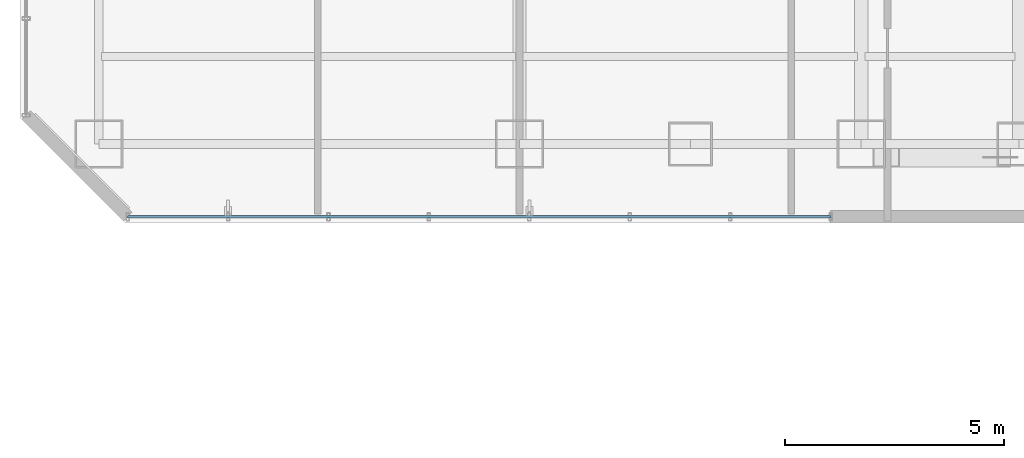
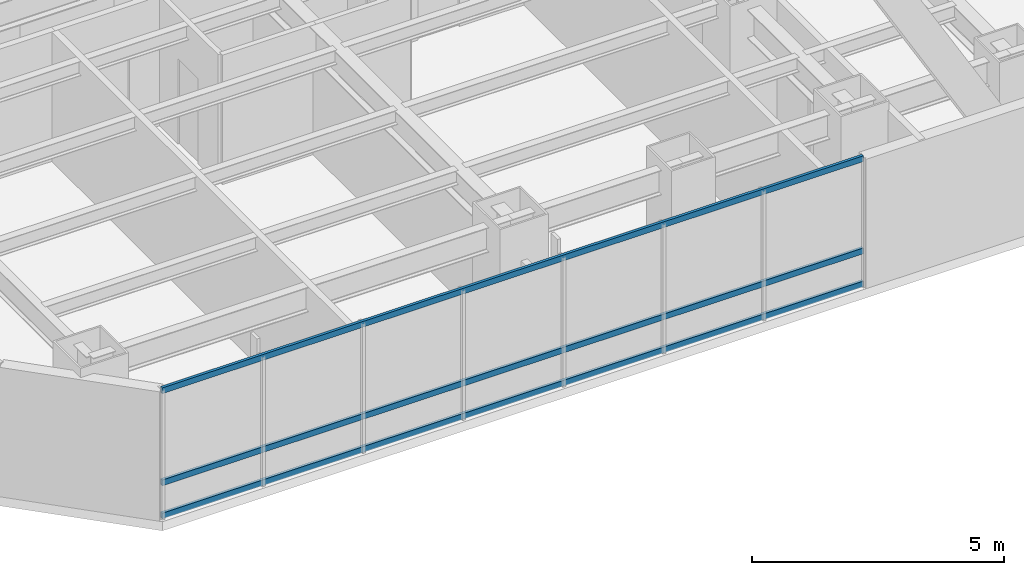
# One storey, part 3 of 32: 3 members, 1 element without a shape of its own.
"""IFC4 building model written with IfcOpenShell, lengths in metres."""

from ifc_helpers import new_model, si_unit, direction, frame, origin, origin_2d, place, context, subcontext, project, spatial, hollow_rectangle, extrude, material, layer, layer_set, material_profile, profile_set, type_object, element, aggregate, save


model = new_model("IFC4")

# Units and contexts
model_context = context("Model", 3, precision=1e-05, world=origin(), true_north=direction((0.0, 1.0)))
body_context = subcontext(model_context, "Body", "Model", "MODEL_VIEW")
ifc_project = project(units=[si_unit("LENGTHUNIT", "METRE"), si_unit("AREAUNIT", "SQUARE_METRE"), si_unit("VOLUMEUNIT", "CUBIC_METRE"), si_unit("PLANEANGLEUNIT", "RADIAN"), si_unit("MASSUNIT", "GRAM", prefix="KILO")], contexts=[model_context])

# Site, building, storey
site_placement = place(None, origin())
site = spatial("IfcSite", under=ifc_project, at=site_placement, CompositionType="ELEMENT")
building_placement = place(site_placement, origin())
building = spatial("IfcBuilding", under=site, at=building_placement, Name="Hatsunagi Terrace Concourse", CompositionType="ELEMENT")
storey_placement = place(building_placement, frame((0.0, 0.0, 46.64990234375)))
storey = spatial("IfcBuildingStorey", under=building, at=storey_placement, Name="L11", CompositionType="ELEMENT", Elevation=46.64990234375)

# Curtain wall, members
ifc_material_1 = material(Name="Anodised Aluminium Alloy 6063-T5", Category="aluminium")
ifc_layer = layer(ifc_material_1, 0.199951171875)
ifc_layer_set = layer_set([ifc_layer], Name="HotelFacade_CW02")
curtain_wall_type = type_object("IfcCurtainWallType", Name="HotelFacade_CW02", PredefinedType="NOTDEFINED", material=ifc_layer_set)
curtain_wall_placement = place(storey_placement, origin())
curtain_wall = element("IfcCurtainWall", 1, at=curtain_wall_placement, inside=storey, type_object=curtain_wall_type, Name="Unitised Curtain Wall CW-02 CW-L11-07", PredefinedType="NOTDEFINED")
ifc_material_2 = material(Name="Anodised Aluminium Alloy 6063-T5", Category="aluminium")
ifc_material_profile = material_profile(ifc_material_2, hollow_rectangle(XDim=0.06494140625, YDim=0.139892578125, WallThickness=0.00390625, at=origin_2d()), Name="ALU-TRN-140x65x4")
ifc_profile_set = profile_set([ifc_material_profile], Name="Anodised Aluminium Alloy 6063-T5")
member_type = type_object("IfcMemberType", Name="CurtainWallTransom_140x65", PredefinedType="USERDEFINED", material=ifc_profile_set)
member_1_placement = place(storey_placement, frame((18.5, 23.5400390625, 0.050048828125), z_axis=(-1.0, 0.0, 0.0), x_axis=(0.0, -1.0, 0.0)))
member_1 = element("IfcMember", 2, at=member_1_placement, type_object=member_type, Name="Curtain Wall Transom TRN-02", ObjectType="TRANSOM", PredefinedType="USERDEFINED", context=body_context, shape_type="SweptSolid", body=[
    extrude(hollow_rectangle(XDim=0.06494140625, YDim=0.139892578125, WallThickness=0.00390625, at=origin_2d()), origin(), (0.0, 0.0, 1.0), 16.0419921875),
])
member_2_placement = place(storey_placement, frame((18.5, 23.5400390625, 0.85009765625), z_axis=(-1.0, 0.0, 0.0), x_axis=(0.0, -1.0, 0.0)))
member_2 = element("IfcMember", 3, at=member_2_placement, type_object=member_type, Name="Curtain Wall Transom TRN-02", ObjectType="TRANSOM", PredefinedType="USERDEFINED", context=body_context, shape_type="SweptSolid", body=[
    extrude(hollow_rectangle(XDim=0.06494140625, YDim=0.139892578125, WallThickness=0.00390625, at=origin_2d()), origin(), (0.0, 0.0, 1.0), 16.0419921875),
])
member_3_placement = place(storey_placement, frame((18.5, 23.5400390625, 3.080078125), z_axis=(-1.0, 0.0, 0.0), x_axis=(0.0, -1.0, 0.0)))
member_3 = element("IfcMember", 4, at=member_3_placement, type_object=member_type, Name="Curtain Wall Transom TRN-02", ObjectType="TRANSOM", PredefinedType="USERDEFINED", context=body_context, shape_type="SweptSolid", body=[
    extrude(hollow_rectangle(XDim=0.06494140625, YDim=0.139892578125, WallThickness=0.00390625, at=origin_2d()), origin(), (0.0, 0.0, 1.0), 16.0419921875),
])
aggregate(curtain_wall, [member_1, member_2, member_3])

save(model, "model.ifc")
